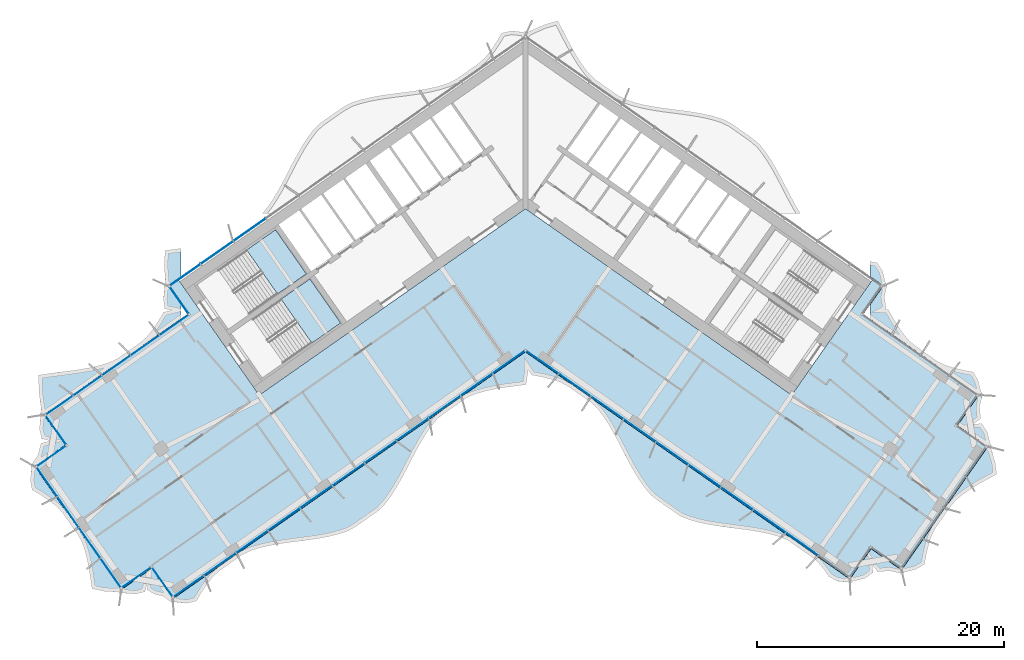
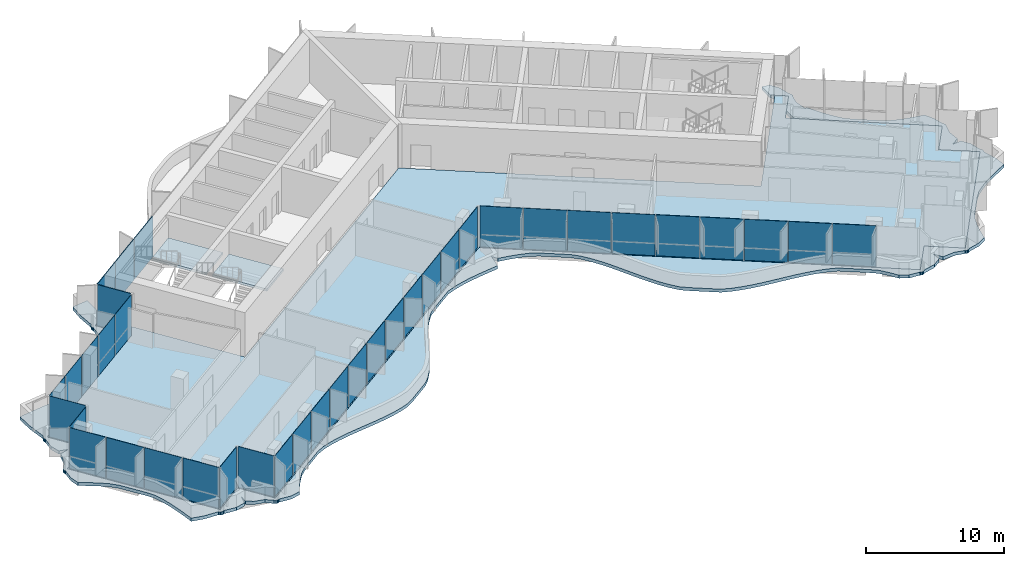
# One storey, part 10 of 21: 37 plates, 4 slabs, 4 elements without a shape of their own.
"""IFC4 building model written with IfcOpenShell, lengths in metres."""

from ifc_helpers import new_model, si_unit, direction, frame, origin, origin_2d, place, context, subcontext, project, spatial, polyline, rectangle, outline, extrude, material, layer, layer_set, type_object, element, aggregate, save


model = new_model("IFC4")

# Units and contexts
model_context = context("Model", 3, precision=1e-05, world=origin(), true_north=direction((0.0, 1.0)))
body_context = subcontext(model_context, "Body", "Model", "MODEL_VIEW")
ifc_project = project(units=[si_unit("LENGTHUNIT", "METRE"), si_unit("AREAUNIT", "SQUARE_METRE"), si_unit("VOLUMEUNIT", "CUBIC_METRE"), si_unit("PLANEANGLEUNIT", "RADIAN"), si_unit("MASSUNIT", "GRAM", prefix="KILO")], contexts=[model_context])

# Site, building, storey
site_placement = place(None, origin())
site = spatial("IfcSite", under=ifc_project, at=site_placement, CompositionType="ELEMENT")
building_placement = place(site_placement, origin())
building = spatial("IfcBuilding", under=site, at=building_placement, Name="Tel Ilan Convention Tower", CompositionType="ELEMENT")
storey_placement = place(building_placement, frame((0.0, 0.0, 155.39990234375)))
storey = spatial("IfcBuildingStorey", under=building, at=storey_placement, Name="L35", CompositionType="ELEMENT", Elevation=155.39990234375)

# Curtain wall, plates
ifc_material_1 = material(Name="Aluminium, bronze anodised", Category="aluminium")
curtain_wall_type_1 = type_object("IfcCurtainWallType", Name="CW4 STICK CURTAIN WALL, OFFICE TINTED GLASS", PredefinedType="NOTDEFINED", material=ifc_material_1)
curtain_wall_1_placement = place(storey_placement, origin())
curtain_wall_1 = element("IfcCurtainWall", 1, at=curtain_wall_1_placement, inside=storey, type_object=curtain_wall_type_1, Name="Curtain wall CW4-27.02", PredefinedType="NOTDEFINED")
ifc_material_2 = material(Name="Glass, bronze tinted, two-ply", Category="glass")
ifc_layer_1 = layer(ifc_material_2, 0.028076171875)
ifc_layer_set_1 = layer_set([ifc_layer_1], Name="CW GLASS PANEL 28")
plate_type_1 = type_object("IfcPlateType", Name="CW GLASS PANEL 28", PredefinedType="CURTAIN_PANEL", material=ifc_layer_set_1)
plate_1_placement = place(storey_placement, frame((-28.44677734375, -10.640625, 0.0), z_axis=(0.0, 0.0, 1.0), x_axis=(-0.819152044289, -0.573576436351, 0.0)))
plate_1 = element("IfcPlate", 2, at=plate_1_placement, type_object=plate_type_1, Name="Glass panel", PredefinedType="CURTAIN_PANEL", context=body_context, shape_type="SweptSolid", body=[
    extrude(rectangle(XDim=2.80908203125, YDim=0.028076171875, at=origin_2d()), origin(), (0.0, 0.0, 1.0), 3.6201171875),
])
plate_2_placement = place(storey_placement, frame((-30.784912109375, -12.278076171875, 0.0), z_axis=(0.0, 0.0, 1.0), x_axis=(-0.819152044289, -0.573576436351, 0.0)))
plate_2 = element("IfcPlate", 3, at=plate_2_placement, type_object=plate_type_1, Name="Glass panel", PredefinedType="CURTAIN_PANEL", context=body_context, shape_type="SweptSolid", body=[
    extrude(rectangle(XDim=2.780029296875, YDim=0.028076171875, at=origin_2d()), origin(), (0.0, 0.0, 1.0), 3.6201171875),
])
plate_3_placement = place(storey_placement, frame((-33.111328125, -13.906982421875, 0.0), z_axis=(0.0, 0.0, 1.0), x_axis=(-0.819152044289, -0.573576436351, 0.0)))
plate_3 = element("IfcPlate", 4, at=plate_3_placement, type_object=plate_type_1, Name="Glass panel", PredefinedType="CURTAIN_PANEL", context=body_context, shape_type="SweptSolid", body=[
    extrude(rectangle(XDim=2.780029296875, YDim=0.028076171875, at=origin_2d()), origin(), (0.0, 0.0, 1.0), 3.6201171875),
])
plate_4_placement = place(storey_placement, frame((-35.437744140625, -15.535888671875, 0.0), z_axis=(0.0, 0.0, 1.0), x_axis=(-0.819152044289, -0.573576436351, 0.0)))
plate_4 = element("IfcPlate", 5, at=plate_4_placement, type_object=plate_type_1, Name="Glass panel", PredefinedType="CURTAIN_PANEL", context=body_context, shape_type="SweptSolid", body=[
    extrude(rectangle(XDim=2.780029296875, YDim=0.028076171875, at=origin_2d()), origin(), (0.0, 0.0, 1.0), 3.6201171875),
])
plate_5_placement = place(storey_placement, frame((-37.7255859375, -17.137939453125, 0.0), z_axis=(0.0, 0.0, 1.0), x_axis=(-0.819152044289, -0.573576436351, 0.0)))
plate_5 = element("IfcPlate", 6, at=plate_5_placement, type_object=plate_type_1, Name="Glass panel", PredefinedType="CURTAIN_PANEL", context=body_context, shape_type="SweptSolid", body=[
    extrude(rectangle(XDim=2.68603515625, YDim=0.028076171875, at=origin_2d()), origin(), (0.0, 0.0, 1.0), 3.6201171875),
])
plate_6_placement = place(storey_placement, frame((-38.007080078125, -19.119140625, 0.0), z_axis=(0.0, 0.0, 1.0), x_axis=(0.573576436351, -0.819152044289, 0.0)))
plate_6 = element("IfcPlate", 7, at=plate_6_placement, type_object=plate_type_1, Name="Glass panel", PredefinedType="CURTAIN_PANEL", context=body_context, shape_type="SweptSolid", body=[
    extrude(rectangle(XDim=2.875, YDim=0.028076171875, at=origin_2d()), origin(), (0.0, 0.0, 1.0), 3.6201171875),
])
plate_7_placement = place(storey_placement, frame((-38.385009765625, -21.261962890625, 0.0), z_axis=(0.0, 0.0, 1.0), x_axis=(-0.819152044289, -0.573576436351, 0.0)))
plate_7 = element("IfcPlate", 8, at=plate_7_placement, type_object=plate_type_1, Name="Glass panel", PredefinedType="CURTAIN_PANEL", context=body_context, shape_type="SweptSolid", body=[
    extrude(rectangle(XDim=2.875, YDim=0.028076171875, at=origin_2d()), origin(), (0.0, 0.0, 1.0), 3.6201171875),
])
plate_8_placement = place(storey_placement, frame((-38.73779296875, -23.305908203125, 0.0), z_axis=(0.0, 0.0, 1.0), x_axis=(0.573576436351, -0.819152044289, 0.0)))
plate_8 = element("IfcPlate", 9, at=plate_8_placement, type_object=plate_type_1, Name="Glass panel", PredefinedType="CURTAIN_PANEL", context=body_context, shape_type="SweptSolid", body=[
    extrude(rectangle(XDim=2.89599609375, YDim=0.028076171875, at=origin_2d()), origin(), (0.0, 0.0, 1.0), 3.6201171875),
])
plate_9_placement = place(storey_placement, frame((-37.015380859375, -25.765869140625, 0.0), z_axis=(0.0, 0.0, 1.0), x_axis=(0.573576436351, -0.819152044289, 0.0)))
plate_9 = element("IfcPlate", 10, at=plate_9_placement, type_object=plate_type_1, Name="Glass panel", PredefinedType="CURTAIN_PANEL", context=body_context, shape_type="SweptSolid", body=[
    extrude(rectangle(XDim=2.989990234375, YDim=0.028076171875, at=origin_2d()), origin(), (0.0, 0.0, 1.0), 3.6201171875),
])
plate_10_placement = place(storey_placement, frame((-35.26611328125, -28.264404296875, 0.0), z_axis=(0.0, 0.0, 1.0), x_axis=(0.573576436351, -0.819152044289, 0.0)))
plate_10 = element("IfcPlate", 11, at=plate_10_placement, type_object=plate_type_1, Name="Glass panel", PredefinedType="CURTAIN_PANEL", context=body_context, shape_type="SweptSolid", body=[
    extrude(rectangle(XDim=2.989990234375, YDim=0.028076171875, at=origin_2d()), origin(), (0.0, 0.0, 1.0), 3.6201171875),
])
plate_11_placement = place(storey_placement, frame((-33.543701171875, -30.72412109375, 0.0), z_axis=(0.0, 0.0, 1.0), x_axis=(0.573576436351, -0.819152044289, 0.0)))
plate_11 = element("IfcPlate", 12, at=plate_11_placement, type_object=plate_type_1, Name="Glass panel", PredefinedType="CURTAIN_PANEL", context=body_context, shape_type="SweptSolid", body=[
    extrude(rectangle(XDim=2.89599609375, YDim=0.028076171875, at=origin_2d()), origin(), (0.0, 0.0, 1.0), 3.6201171875),
])
plate_12_placement = place(storey_placement, frame((-31.502197265625, -31.091796875, 0.0), z_axis=(0.0, 0.0, 1.0), x_axis=(0.819152044289, 0.573576436351, 0.0)))
plate_12 = element("IfcPlate", 13, at=plate_12_placement, type_object=plate_type_1, Name="Glass panel", PredefinedType="CURTAIN_PANEL", context=body_context, shape_type="SweptSolid", body=[
    extrude(rectangle(XDim=2.875, YDim=0.028076171875, at=origin_2d()), origin(), (0.0, 0.0, 1.0), 3.6201171875),
])
plate_13_placement = place(storey_placement, frame((-29.359375, -31.469482421875, 0.0), z_axis=(0.0, 0.0, 1.0), x_axis=(0.573576436351, -0.819152044289, 0.0)))
plate_13 = element("IfcPlate", 14, at=plate_13_placement, type_object=plate_type_1, Name="Glass panel", PredefinedType="CURTAIN_PANEL", context=body_context, shape_type="SweptSolid", body=[
    extrude(rectangle(XDim=2.875, YDim=0.028076171875, at=origin_2d()), origin(), (0.0, 0.0, 1.0), 3.6201171875),
])
plate_14_placement = place(storey_placement, frame((-27.26708984375, -31.78857421875, 0.0), z_axis=(0.0, 0.0, 1.0), x_axis=(0.819152044289, 0.573576436351, 0.0)))
plate_14 = element("IfcPlate", 15, at=plate_14_placement, type_object=plate_type_1, Name="Glass panel", PredefinedType="CURTAIN_PANEL", context=body_context, shape_type="SweptSolid", body=[
    extrude(rectangle(XDim=3.013916015625, YDim=0.028076171875, at=origin_2d()), origin(), (0.0, 0.0, 1.0), 3.6201171875),
])
plate_15_placement = place(storey_placement, frame((-24.71044921875, -29.99853515625, 0.0), z_axis=(0.0, 0.0, 1.0), x_axis=(0.819152044289, 0.573576436351, 0.0)))
plate_15 = element("IfcPlate", 16, at=plate_15_placement, type_object=plate_type_1, Name="Glass panel", PredefinedType="CURTAIN_PANEL", context=body_context, shape_type="SweptSolid", body=[
    extrude(rectangle(XDim=3.10791015625, YDim=0.028076171875, at=origin_2d()), origin(), (0.0, 0.0, 1.0), 3.6201171875),
])
plate_16_placement = place(storey_placement, frame((-22.115478515625, -28.181396484375, 0.0), z_axis=(0.0, 0.0, 1.0), x_axis=(0.819152044289, 0.573576436351, 0.0)))
plate_16 = element("IfcPlate", 17, at=plate_16_placement, type_object=plate_type_1, Name="Glass panel", PredefinedType="CURTAIN_PANEL", context=body_context, shape_type="SweptSolid", body=[
    extrude(rectangle(XDim=3.10791015625, YDim=0.028076171875, at=origin_2d()), origin(), (0.0, 0.0, 1.0), 3.6201171875),
])
plate_17_placement = place(storey_placement, frame((-19.520263671875, -26.3642578125, 0.0), z_axis=(0.0, 0.0, 1.0), x_axis=(0.819152044289, 0.573576436351, 0.0)))
plate_17 = element("IfcPlate", 18, at=plate_17_placement, type_object=plate_type_1, Name="Glass panel", PredefinedType="CURTAIN_PANEL", context=body_context, shape_type="SweptSolid", body=[
    extrude(rectangle(XDim=3.10791015625, YDim=0.028076171875, at=origin_2d()), origin(), (0.0, 0.0, 1.0), 3.6201171875),
])
plate_18_placement = place(storey_placement, frame((-16.92529296875, -24.54736328125, 0.0), z_axis=(0.0, 0.0, 1.0), x_axis=(0.819152044289, 0.573576436351, 0.0)))
plate_18 = element("IfcPlate", 19, at=plate_18_placement, type_object=plate_type_1, Name="Glass panel", PredefinedType="CURTAIN_PANEL", context=body_context, shape_type="SweptSolid", body=[
    extrude(rectangle(XDim=3.10791015625, YDim=0.028076171875, at=origin_2d()), origin(), (0.0, 0.0, 1.0), 3.6201171875),
])
plate_19_placement = place(storey_placement, frame((-14.330078125, -22.730224609375, 0.0), z_axis=(0.0, 0.0, 1.0), x_axis=(0.819152044289, 0.573576436351, 0.0)))
plate_19 = element("IfcPlate", 20, at=plate_19_placement, type_object=plate_type_1, Name="Glass panel", PredefinedType="CURTAIN_PANEL", context=body_context, shape_type="SweptSolid", body=[
    extrude(rectangle(XDim=3.10791015625, YDim=0.028076171875, at=origin_2d()), origin(), (0.0, 0.0, 1.0), 3.6201171875),
])
plate_20_placement = place(storey_placement, frame((-11.735107421875, -20.9130859375, 0.0), z_axis=(0.0, 0.0, 1.0), x_axis=(0.819152044289, 0.573576436351, 0.0)))
plate_20 = element("IfcPlate", 21, at=plate_20_placement, type_object=plate_type_1, Name="Glass panel", PredefinedType="CURTAIN_PANEL", context=body_context, shape_type="SweptSolid", body=[
    extrude(rectangle(XDim=3.10791015625, YDim=0.028076171875, at=origin_2d()), origin(), (0.0, 0.0, 1.0), 3.6201171875),
])
plate_21_placement = place(storey_placement, frame((-9.14013671875, -19.095947265625, 0.0), z_axis=(0.0, 0.0, 1.0), x_axis=(0.819152044289, 0.573576436351, 0.0)))
plate_21 = element("IfcPlate", 22, at=plate_21_placement, type_object=plate_type_1, Name="Glass panel", PredefinedType="CURTAIN_PANEL", context=body_context, shape_type="SweptSolid", body=[
    extrude(rectangle(XDim=3.10791015625, YDim=0.028076171875, at=origin_2d()), origin(), (0.0, 0.0, 1.0), 3.6201171875),
])
plate_22_placement = place(storey_placement, frame((-6.544921875, -17.27880859375, 0.0), z_axis=(0.0, 0.0, 1.0), x_axis=(0.819152044289, 0.573576436351, 0.0)))
plate_22 = element("IfcPlate", 23, at=plate_22_placement, type_object=plate_type_1, Name="Glass panel", PredefinedType="CURTAIN_PANEL", context=body_context, shape_type="SweptSolid", body=[
    extrude(rectangle(XDim=3.10791015625, YDim=0.028076171875, at=origin_2d()), origin(), (0.0, 0.0, 1.0), 3.6201171875),
])
plate_23_placement = place(storey_placement, frame((-3.949951171875, -15.4619140625, 0.0), z_axis=(0.0, 0.0, 1.0), x_axis=(0.819152044289, 0.573576436351, 0.0)))
plate_23 = element("IfcPlate", 24, at=plate_23_placement, type_object=plate_type_1, Name="Glass panel", PredefinedType="CURTAIN_PANEL", context=body_context, shape_type="SweptSolid", body=[
    extrude(rectangle(XDim=3.10791015625, YDim=0.028076171875, at=origin_2d()), origin(), (0.0, 0.0, 1.0), 3.6201171875),
])
plate_24_placement = place(storey_placement, frame((-1.355224609375, -13.64501953125, 0.0), z_axis=(0.0, 0.0, 1.0), x_axis=(0.819152044289, 0.573576436351, 0.0)))
plate_24 = element("IfcPlate", 25, at=plate_24_placement, type_object=plate_type_1, Name="Glass panel", PredefinedType="CURTAIN_PANEL", context=body_context, shape_type="SweptSolid", body=[
    extrude(rectangle(XDim=3.10693359375, YDim=0.028076171875, at=origin_2d()), origin(), (0.0, 0.0, 1.0), 3.6201171875),
])
plate_25_placement = place(storey_placement, frame((1.3818359375, -13.66357421875, 0.0), z_axis=(0.0, 0.0, 1.0), x_axis=(0.819152044289, -0.573576436351, 0.0)))
plate_25 = element("IfcPlate", 26, at=plate_25_placement, type_object=plate_type_1, Name="Glass panel", PredefinedType="CURTAIN_PANEL", context=body_context, shape_type="SweptSolid", body=[
    extrude(rectangle(XDim=3.11572265625, YDim=0.028076171875, at=origin_2d()), origin(), (0.0, 0.0, 1.0), 3.6201171875),
])
plate_26_placement = place(storey_placement, frame((3.9951171875, -15.493408203125, 0.0), z_axis=(0.0, 0.0, 1.0), x_axis=(0.819152044289, -0.573576436351, 0.0)))
plate_26 = element("IfcPlate", 27, at=plate_26_placement, type_object=plate_type_1, Name="Glass panel", PredefinedType="CURTAIN_PANEL", context=body_context, shape_type="SweptSolid", body=[
    extrude(rectangle(XDim=3.144775390625, YDim=0.028076171875, at=origin_2d()), origin(), (0.0, 0.0, 1.0), 3.6201171875),
])
plate_27_placement = place(storey_placement, frame((6.620361328125, -17.331787109375, 0.0), z_axis=(0.0, 0.0, 1.0), x_axis=(0.819152044289, -0.573576436351, 0.0)))
plate_27 = element("IfcPlate", 28, at=plate_27_placement, type_object=plate_type_1, Name="Glass panel", PredefinedType="CURTAIN_PANEL", context=body_context, shape_type="SweptSolid", body=[
    extrude(rectangle(XDim=3.144775390625, YDim=0.028076171875, at=origin_2d()), origin(), (0.0, 0.0, 1.0), 3.6201171875),
])
plate_28_placement = place(storey_placement, frame((9.24560546875, -19.169921875, 0.0), z_axis=(0.0, 0.0, 1.0), x_axis=(0.819152044289, -0.573576436351, 0.0)))
plate_28 = element("IfcPlate", 29, at=plate_28_placement, type_object=plate_type_1, Name="Glass panel", PredefinedType="CURTAIN_PANEL", context=body_context, shape_type="SweptSolid", body=[
    extrude(rectangle(XDim=3.144775390625, YDim=0.028076171875, at=origin_2d()), origin(), (0.0, 0.0, 1.0), 3.6201171875),
])
plate_29_placement = place(storey_placement, frame((11.870849609375, -21.008056640625, 0.0), z_axis=(0.0, 0.0, 1.0), x_axis=(0.819152044289, -0.573576436351, 0.0)))
plate_29 = element("IfcPlate", 30, at=plate_29_placement, type_object=plate_type_1, Name="Glass panel", PredefinedType="CURTAIN_PANEL", context=body_context, shape_type="SweptSolid", body=[
    extrude(rectangle(XDim=3.144775390625, YDim=0.028076171875, at=origin_2d()), origin(), (0.0, 0.0, 1.0), 3.6201171875),
])
plate_30_placement = place(storey_placement, frame((14.49609375, -22.84619140625, 0.0), z_axis=(0.0, 0.0, 1.0), x_axis=(0.819152044289, -0.573576436351, 0.0)))
plate_30 = element("IfcPlate", 31, at=plate_30_placement, type_object=plate_type_1, Name="Glass panel", PredefinedType="CURTAIN_PANEL", context=body_context, shape_type="SweptSolid", body=[
    extrude(rectangle(XDim=3.144775390625, YDim=0.028076171875, at=origin_2d()), origin(), (0.0, 0.0, 1.0), 3.6201171875),
])
plate_31_placement = place(storey_placement, frame((17.12109375, -24.684326171875, 0.0), z_axis=(0.0, 0.0, 1.0), x_axis=(0.819152044289, -0.573576436351, 0.0)))
plate_31 = element("IfcPlate", 32, at=plate_31_placement, type_object=plate_type_1, Name="Glass panel", PredefinedType="CURTAIN_PANEL", context=body_context, shape_type="SweptSolid", body=[
    extrude(rectangle(XDim=3.144775390625, YDim=0.028076171875, at=origin_2d()), origin(), (0.0, 0.0, 1.0), 3.6201171875),
])
plate_32_placement = place(storey_placement, frame((19.746337890625, -26.522705078125, 0.0), z_axis=(0.0, 0.0, 1.0), x_axis=(0.819152044289, -0.573576436351, 0.0)))
plate_32 = element("IfcPlate", 33, at=plate_32_placement, type_object=plate_type_1, Name="Glass panel", PredefinedType="CURTAIN_PANEL", context=body_context, shape_type="SweptSolid", body=[
    extrude(rectangle(XDim=3.144775390625, YDim=0.028076171875, at=origin_2d()), origin(), (0.0, 0.0, 1.0), 3.6201171875),
])
plate_33_placement = place(storey_placement, frame((22.37158203125, -28.36083984375, 0.0), z_axis=(0.0, 0.0, 1.0), x_axis=(0.819152044289, -0.573576436351, 0.0)))
plate_33 = element("IfcPlate", 34, at=plate_33_placement, type_object=plate_type_1, Name="Glass panel", PredefinedType="CURTAIN_PANEL", context=body_context, shape_type="SweptSolid", body=[
    extrude(rectangle(XDim=3.144775390625, YDim=0.028076171875, at=origin_2d()), origin(), (0.0, 0.0, 1.0), 3.6201171875),
])
aggregate(curtain_wall_1, [plate_1, plate_2, plate_3, plate_4, plate_5, plate_6, plate_7, plate_8, plate_9, plate_10, plate_11, plate_12, plate_13, plate_14, plate_15, plate_16, plate_17, plate_18, plate_19, plate_20, plate_21, plate_22, plate_23, plate_24, plate_25, plate_26, plate_27, plate_28, plate_29, plate_30, plate_31, plate_32, plate_33])

ifc_material_3 = material(Name="Aluminium, bronze anodised", Category="aluminium")
curtain_wall_type_2 = type_object("IfcCurtainWallType", Name="CW2 STICK CURTAIN WALL, SPANDREL PANELS", PredefinedType="NOTDEFINED", material=ifc_material_3)
curtain_wall_2_placement = place(storey_placement, origin())
curtain_wall_2 = element("IfcCurtainWall", 35, at=curtain_wall_2_placement, inside=storey, type_object=curtain_wall_type_2, Name="Curtain wall CW2-27.01", PredefinedType="NOTDEFINED")
ifc_material_4 = material(Name="Aluminium composite panel, bronze anodised", Category="aluminium")
ifc_layer_2 = layer(ifc_material_4, 0.06005859375)
ifc_layer_set_2 = layer_set([ifc_layer_2], Name="CW SPANDREL PANEL 60")
plate_type_2 = type_object("IfcPlateType", Name="CW SPANDREL PANEL 60", PredefinedType="CURTAIN_PANEL", material=ifc_layer_set_2)
plate_34_placement = place(storey_placement, frame((-22.31982421875, -2.9326171875, 0.0), z_axis=(0.0, 0.0, 1.0), x_axis=(-0.819152044289, -0.573576436351, 0.0)))
plate_34 = element("IfcPlate", 36, at=plate_34_placement, type_object=plate_type_2, Name="Spandrel panel", PredefinedType="CURTAIN_PANEL", context=body_context, shape_type="SweptSolid", body=[
    extrude(rectangle(XDim=3.15380859375, YDim=0.06005859375, at=origin_2d()), origin(), (0.0, 0.0, 1.0), 3.6201171875),
])
plate_35_placement = place(storey_placement, frame((-24.95263671875, -4.77587890625, 0.0), z_axis=(0.0, 0.0, 1.0), x_axis=(-0.819152044289, -0.573576436351, 0.0)))
plate_35 = element("IfcPlate", 37, at=plate_35_placement, type_object=plate_type_2, Name="Spandrel panel", PredefinedType="CURTAIN_PANEL", context=body_context, shape_type="SweptSolid", body=[
    extrude(rectangle(XDim=3.15380859375, YDim=0.06005859375, at=origin_2d()), origin(), (0.0, 0.0, 1.0), 3.6201171875),
])
plate_36_placement = place(storey_placement, frame((-27.5400390625, -6.587646484375, 0.0), z_axis=(0.0, 0.0, 1.0), x_axis=(-0.819152044289, -0.573576436351, 0.0)))
plate_36 = element("IfcPlate", 38, at=plate_36_placement, type_object=plate_type_2, Name="Spandrel panel", PredefinedType="CURTAIN_PANEL", context=body_context, shape_type="SweptSolid", body=[
    extrude(rectangle(XDim=3.0439453125, YDim=0.06005859375, at=origin_2d()), origin(), (0.0, 0.0, 1.0), 3.6201171875),
])
plate_37_placement = place(storey_placement, frame((-28.033935546875, -8.60546875, 0.0), z_axis=(0.0, 0.0, 1.0), x_axis=(0.573576436351, -0.819152044289, 0.0)))
plate_37 = element("IfcPlate", 39, at=plate_37_placement, type_object=plate_type_2, Name="Spandrel panel", PredefinedType="CURTAIN_PANEL", context=body_context, shape_type="SweptSolid", body=[
    extrude(rectangle(XDim=2.658935546875, YDim=0.06005859375, at=origin_2d()), origin(), (0.0, 0.0, 1.0), 3.6201171875),
])
aggregate(curtain_wall_2, [plate_34, plate_35, plate_36, plate_37])

# Stair, slab
ifc_material_5 = material(Name="Concrete C40/50", Category="concrete")
stair_type = type_object("IfcStairType", Name="Pressurised Exit Stair 22 risers 177 mm", PredefinedType="HALF_TURN_STAIR", material=ifc_material_5)
stair_1_placement = place(storey_placement, origin())
stair_1 = element("IfcStair", 40, at=stair_1_placement, inside=storey, type_object=stair_type, Name="L35 Pressurised Stair S1", PredefinedType="HALF_TURN_STAIR")
ifc_material_6 = material(Name="Concrete C40/50", Category="concrete")
ifc_layer_3 = layer(ifc_material_6, 0.199951171875)
ifc_layer_set_3 = layer_set([ifc_layer_3], Name="Concrete Stair Landing 200 mm C40/50")
slab_type_1 = type_object("IfcSlabType", Name="Concrete Stair Landing 200 mm", PredefinedType="LANDING", material=ifc_layer_set_3)
slab_1_placement = place(storey_placement, frame((0.0, 0.0, 1.75)))
slab_1 = element("IfcSlab", 41, at=slab_1_placement, type_object=slab_type_1, Name="S1 landing 1", PredefinedType="LANDING", context=body_context, shape_type="SweptSolid", body=[
    extrude(outline(polyline([(-20.066650390625, -8.130126953125), (-17.7314453125, -6.494873046875), (-20.226318359375, -2.931640625), (-22.561767578125, -4.566650390625), (-20.066650390625, -8.130126953125)])), origin(), (0.0, 0.0, 1.0), 0.2001953125),
])
aggregate(stair_1, [slab_1])

stair_2_placement = place(storey_placement, origin())
stair_2 = element("IfcStair", 42, at=stair_2_placement, inside=storey, type_object=stair_type, Name="L35 Pressurised Stair S2", PredefinedType="HALF_TURN_STAIR")
slab_2_placement = place(storey_placement, frame((0.0, 0.0, 1.75)))
slab_2 = element("IfcSlab", 43, at=slab_2_placement, type_object=slab_type_1, Name="S2 landing 1", PredefinedType="LANDING", context=body_context, shape_type="SweptSolid", body=[
    extrude(outline(polyline([(-17.28466796875, -12.10302734375), (-14.949462890625, -10.4677734375), (-17.444580078125, -6.904541015625), (-19.77978515625, -8.53955078125), (-17.28466796875, -12.10302734375)])), origin(), (0.0, 0.0, 1.0), 0.2001953125),
])
aggregate(stair_2, [slab_2])

# Slabs
ifc_material_7 = material(Name="Concrete C40/50", Category="concrete")
ifc_layer_4 = layer(ifc_material_7, 0.280029296875)
ifc_layer_set_4 = layer_set([ifc_layer_4], Name="Edge Ledge Slab 280 mm C40/50")
slab_type_2 = type_object("IfcSlabType", Name="Edge Ledge Slab 280 mm C40/50", PredefinedType="FLOOR", material=ifc_layer_set_4)
slab_3_placement = place(storey_placement, frame((0.0, 0.0, -0.27978515625)))
element("IfcSlab", 44, at=slab_3_placement, inside=storey, type_object=slab_type_2, Name="L35 edge ledge 1", PredefinedType="FLOOR", context=body_context, shape_type="SweptSolid", body=[
    extrude(outline(polyline([(-31.562744140625, -32.420166015625), (-32.5517578125, -32.31494140625), (-32.554931640625, -32.310302734375), (-32.60888671875, -32.346435546875), (-32.723876953125, -32.369384765625), (-32.838623046875, -32.346435546875), (-32.93603515625, -32.281494140625), (-32.96484375, -32.238037109375), (-32.969482421875, -32.241455078125), (-34.1298828125, -32.177734375), (-35.07666015625, -31.964599609375), (-35.189697265625, -31.16748046875), (-35.312744140625, -30.377685546875), (-35.46484375, -29.608154296875), (-35.656982421875, -28.86669921875), (-35.8984375, -28.15966796875), (-36.2626953125, -27.53857421875), (-37.49755859375, -25.77490234375), (-38.006591796875, -25.25537109375), (-38.60546875, -24.798583984375), (-39.250732421875, -24.374267578125), (-39.92822265625, -23.97265625), (-40.0625, -23.190673828125), (-39.96728515625, -22.247802734375), (-39.962646484375, -22.244384765625), (-39.99853515625, -22.1904296875), (-40.021484375, -22.07568359375), (-39.99853515625, -21.960693359375), (-39.93359375, -21.863525390625), (-39.890380859375, -21.834716796875), (-39.8935546875, -21.829833984375), (-39.44873046875, -21.157470703125), (-39.19921875, -20.20654296875), (-38.452392578125, -20.01123046875), (-39.13330078125, -19.83251953125), (-39.33544921875, -19.05859375), (-39.23046875, -18.069580078125), (-39.225830078125, -18.06640625), (-39.261962890625, -18.01220703125), (-39.284912109375, -17.8974609375), (-39.261962890625, -17.78271484375), (-39.197021484375, -17.685302734375), (-39.153564453125, -17.656494140625), (-39.15673828125, -17.651611328125), (-39.369873046875, -16.044677734375), (-39.404052734375, -14.692626953125), (-38.58203125, -14.563720703125), (-37.746826171875, -14.453369140625), (-36.90869140625, -14.34716796875), (-36.078125, -14.23046875), (-35.2646484375, -14.089111328125), (-34.477783203125, -13.91015625), (-33.72509765625, -13.68212890625), (-33.03466796875, -13.364990234375), (-31.197998046875, -12.0791015625), (-30.631591796875, -11.585205078125), (-30.14892578125, -10.971435546875), (-29.70263671875, -10.305908203125), (-29.284912109375, -9.59912109375), (-28.654296875, -9.439208984375), (-29.194091796875, -9.332763671875), (-29.29443359375, -8.548583984375), (-29.20458984375, -7.631103515625), (-29.199951171875, -7.6279296875), (-29.236083984375, -7.57373046875), (-29.2587890625, -7.458984375), (-29.236083984375, -7.34423828125), (-29.1708984375, -7.246826171875), (-29.127685546875, -7.218017578125), (-29.130859375, -7.21337890625), (-29.231689453125, -5.78515625), (-29.161865234375, -4.60107421875), (-28.33935546875, -4.49169921875), (-27.875, -4.4326171875), (-27.875, -6.7001953125), (-28.958740234375, -7.458984375), (-27.875, -9.007080078125), (-27.875, -10.1181640625), (-27.882568359375, -10.12353515625), (-38.74365234375, -17.728515625), (-38.98486328125, -17.8974609375), (-37.263916015625, -20.35498046875), (-38.2880859375, -21.072021484375), (-39.48046875, -21.90673828125), (-39.721435546875, -22.07568359375), (-32.723876953125, -32.0693359375), (-30.266357421875, -30.3486328125), (-29.57861328125, -31.3310546875), (-29.53759765625, -31.38916015625), (-28.714599609375, -32.56494140625), (-28.545654296875, -32.805908203125), (0.0, -12.818115234375), (26.251953125, -31.199951171875), (27.972900390625, -28.74267578125), (30.43017578125, -30.46337890625), (37.427978515625, -20.469482421875), (37.186767578125, -20.30078125), (36.19921875, -19.609375), (34.970458984375, -18.748779296875), (36.691162109375, -16.29150390625), (36.449951171875, -16.12255859375), (31.117919921875, -12.38916015625), (27.875, -10.1181640625), (27.875, -9.007080078125), (28.958740234375, -7.458984375), (27.875, -6.7001953125), (27.875, -5.485595703125), (28.465576171875, -5.595458984375), (28.894287109375, -6.267333984375), (29.130859375, -7.21337890625), (29.127685546875, -7.218017578125), (29.1708984375, -7.246826171875), (29.236083984375, -7.34423828125), (29.2587890625, -7.458984375), (29.236083984375, -7.57373046875), (29.199951171875, -7.6279296875), (29.20458984375, -7.631103515625), (29.044921875, -8.373779296875), (29.194091796875, -9.332763671875), (29.132080078125, -9.36474609375), (29.356201171875, -9.3759765625), (29.74560546875, -10.06201171875), (30.151123046875, -10.72509765625), (30.5849609375, -11.347900390625), (31.052978515625, -11.92138671875), (31.6103515625, -12.36767578125), (33.361328125, -13.59375), (34.017333984375, -13.899169921875), (34.732421875, -14.1201171875), (35.47900390625, -14.2958984375), (36.246826171875, -14.44140625), (36.63134765625, -15.134521484375), (36.86328125, -16.045654296875), (36.85986328125, -16.05029296875), (36.9033203125, -16.079345703125), (36.96826171875, -16.176513671875), (36.9912109375, -16.29150390625), (36.96826171875, -16.40625), (36.93212890625, -16.460205078125), (36.93701171875, -16.46337890625), (36.748779296875, -17.24755859375), (36.839599609375, -18.2265625), (36.20458984375, -18.665283203125), (36.905517578125, -18.6005859375), (37.3603515625, -19.258544921875), (37.599853515625, -20.223876953125), (37.5966796875, -20.228515625), (37.639892578125, -20.257568359375), (37.705078125, -20.354736328125), (37.727783203125, -20.469482421875), (37.705078125, -20.58447265625), (37.6689453125, -20.638427734375), (37.673583984375, -20.6416015625), (38.010498046875, -21.753662109375), (38.13427734375, -22.71630859375), (37.423828125, -23.09521484375), (36.7236328125, -23.48095703125), (36.052734375, -23.88720703125), (35.421630859375, -24.3212890625), (34.83984375, -24.7900390625), (34.380615234375, -25.344482421875), (33.145751953125, -27.108154296875), (32.83154296875, -27.764404296875), (32.607177734375, -28.4833984375), (32.42919921875, -29.234619140625), (32.28369140625, -30.0087890625), (31.594482421875, -30.402587890625), (30.676025390625, -30.635498046875), (30.67138671875, -30.632080078125), (30.642333984375, -30.67529296875), (30.544921875, -30.740478515625), (30.43017578125, -30.76318359375), (30.3154296875, -30.740478515625), (30.261474609375, -30.704345703125), (30.25830078125, -30.708984375), (29.47412109375, -30.52099609375), (28.4951171875, -30.61181640625), (28.056396484375, -29.976806640625), (28.12109375, -30.677490234375), (27.463134765625, -31.132568359375), (26.497802734375, -31.3720703125), (26.4931640625, -31.368896484375), (26.464111328125, -31.412109375), (26.36669921875, -31.477294921875), (26.251953125, -31.5), (26.13720703125, -31.477294921875), (26.083251953125, -31.441162109375), (26.080078125, -31.44580078125), (25.2314453125, -31.358154296875), (24.565673828125, -31.009765625), (24.111328125, -30.35888671875), (23.619384765625, -29.76220703125), (23.02734375, -29.308349609375), (21.19580078125, -28.02587890625), (20.475830078125, -27.7548828125), (19.716064453125, -27.540283203125), (18.924072265625, -27.372314453125), (18.10791015625, -27.23828125), (17.27685546875, -27.1259765625), (16.44091796875, -27.0205078125), (15.610107421875, -26.9072265625), (14.794677734375, -26.7724609375), (14.003662109375, -26.602783203125), (13.245361328125, -26.386474609375), (12.530029296875, -26.108642578125), (10.698486328125, -24.826171875), (10.110107421875, -24.3671875), (9.61962890625, -23.768310546875), (9.166748046875, -23.115478515625), (8.744384765625, -22.41943359375), (8.343994140625, -21.69189453125), (7.956298828125, -20.9462890625), (7.57080078125, -20.197509765625), (7.177490234375, -19.45947265625), (6.76708984375, -18.74658203125), (6.329833984375, -18.071533203125), (5.8583984375, -17.445556640625), (5.322509765625, -16.9111328125), (3.490966796875, -15.62890625), (2.833251953125, -15.268798828125), (2.093017578125, -15.0263671875), (1.31689453125, -14.835693359375), (0.51220703125, -14.685546875), (0.201416015625, -14.22314453125), (0.2060546875, -14.40478515625), (0.04248046875, -15.464111328125), (-0.788818359375, -15.569580078125), (-1.615234375, -15.681884765625), (-2.427001953125, -15.815185546875), (-3.214599609375, -15.983154296875), (-3.97021484375, -16.19677734375), (-4.686767578125, -16.466064453125), (-6.5087890625, -17.741943359375), (-7.10009765625, -18.190185546875), (-7.59033203125, -18.782470703125), (-8.043212890625, -19.428466796875), (-8.46533203125, -20.118408203125), (-8.864990234375, -20.840087890625), (-9.25146484375, -21.580810546875), (-9.634765625, -22.326416015625), (-10.024658203125, -23.06201171875), (-10.43115234375, -23.7744140625), (-10.86279296875, -24.4501953125), (-11.327880859375, -25.078857421875), (-11.846923828125, -25.63037109375), (-13.6689453125, -26.906005859375), (-14.308837890625, -27.284912109375), (-15.039794921875, -27.53369140625), (-15.80712890625, -27.73046875), (-16.60400390625, -27.885009765625), (-17.421875, -28.009765625), (-18.251220703125, -28.117919921875), (-19.08251953125, -28.2236328125), (-19.905029296875, -28.34130859375), (-20.7099609375, -28.484619140625), (-21.48779296875, -28.666259765625), (-22.2314453125, -28.897216796875), (-22.907470703125, -29.224365234375), (-24.7294921875, -30.5), (-25.286865234375, -30.996826171875), (-25.76416015625, -31.607666015625), (-26.2060546875, -32.269287109375), (-26.6201171875, -32.970703125), (-27.396484375, -33.154296875), (-28.37353515625, -33.0517578125), (-28.376953125, -33.047119140625), (-28.430908203125, -33.083251953125), (-28.545654296875, -33.10595703125), (-28.660400390625, -33.083251953125), (-28.7578125, -33.018310546875), (-28.78662109375, -32.974853515625), (-28.79150390625, -32.97802734375), (-29.2880859375, -32.593505859375), (-30.059814453125, -32.4013671875), (-30.615234375, -32.057861328125), (-30.573974609375, -31.399658203125), (-30.788818359375, -32.2177734375), (-31.562744140625, -32.420166015625)])), origin(), (0.0, 0.0, 1.0), 0.27978515625),
])
ifc_material_8 = material(Name="Concrete C40/50", Category="concrete")
ifc_layer_5 = layer(ifc_material_8, 0.280029296875)
ifc_layer_set_5 = layer_set([ifc_layer_5], Name="Flat Plate Floor Slab 280 mm C40/50")
slab_type_3 = type_object("IfcSlabType", Name="Flat Plate Floor Slab 280 mm C40/50", PredefinedType="FLOOR", material=ifc_layer_set_5)
slab_4_placement = place(storey_placement, frame((0.0, 0.0, -0.27978515625)))
element("IfcSlab", 45, at=slab_4_placement, inside=storey, type_object=slab_type_3, Name="L35 floor slab", PredefinedType="FLOOR", context=body_context, shape_type="SweptSolid", body=[
    extrude(outline(polyline([(37.186767578125, -20.30078125), (37.427978515625, -20.469482421875), (30.43017578125, -30.46337890625), (27.972900390625, -28.74267578125), (26.251953125, -31.199951171875), (0.0, -12.818115234375), (-28.545654296875, -32.805908203125), (-28.714599609375, -32.56494140625), (-29.57861328125, -31.3310546875), (-30.266357421875, -30.3486328125), (-32.723876953125, -32.0693359375), (-39.721435546875, -22.07568359375), (-39.48046875, -21.90673828125), (-38.448486328125, -21.18408203125), (-38.2880859375, -21.072021484375), (-37.263916015625, -20.35498046875), (-38.98486328125, -17.8974609375), (-38.74365234375, -17.728515625), (-27.598388671875, -9.9248046875), (-27.352783203125, -9.752685546875), (-28.958740234375, -7.458984375), (-28.1396484375, -6.885498046875), (-21.54345703125, -16.3056640625), (0.0, -1.220703125), (21.54345703125, -16.3056640625), (28.1396484375, -6.885498046875), (28.958740234375, -7.458984375), (27.352783203125, -9.752685546875), (27.627197265625, -9.944580078125), (36.449951171875, -16.12255859375), (36.691162109375, -16.29150390625), (34.970458984375, -18.748779296875), (36.19921875, -19.609375), (36.3935546875, -19.745361328125), (37.186767578125, -20.30078125)])), origin(), (0.0, 0.0, 1.0), 0.27978515625),
])

save(model, "model.ifc")
